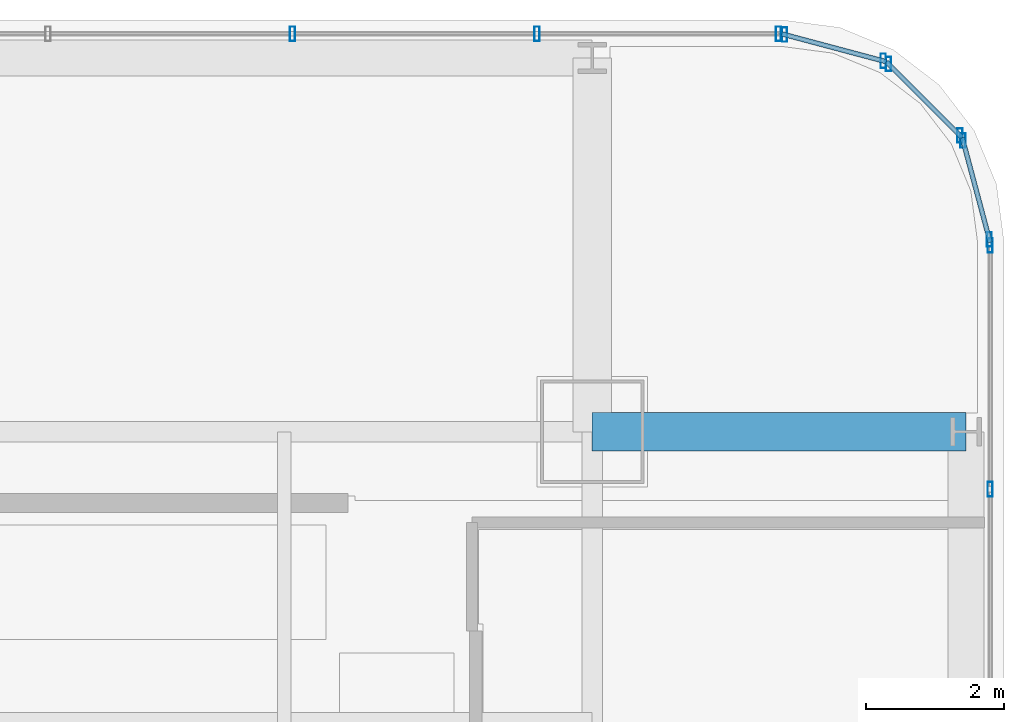
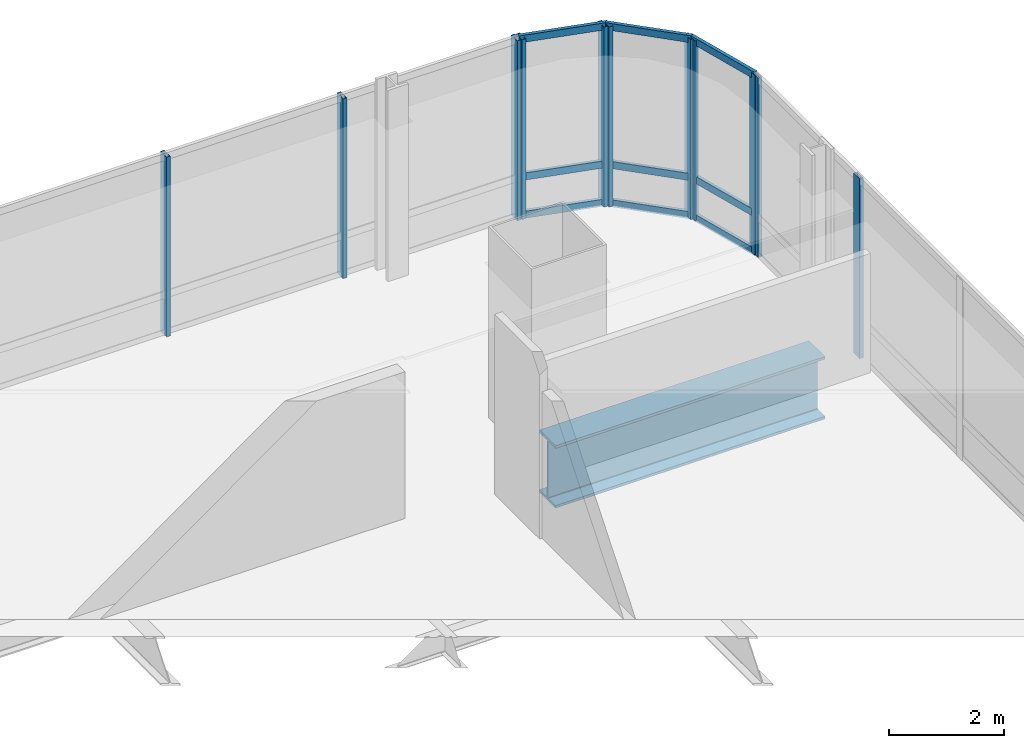
# One storey, part 24 of 34: 20 members, 1 beam, 5 elements without a shape of their own.
"""IFC4 building model written with IfcOpenShell, lengths in metres."""

from ifc_helpers import new_model, si_unit, direction, frame, origin, origin_2d, place, context, subcontext, project, spatial, hollow_rectangle, i_section, extrude, material, material_profile, profile_set, type_object, element, aggregate, save


model = new_model("IFC4")

# Units and contexts
model_context = context("Model", 3, precision=1e-05, world=origin(), true_north=direction((0.0, 1.0)))
body_context = subcontext(model_context, "Body", "Model", "MODEL_VIEW")
ifc_project = project(units=[si_unit("LENGTHUNIT", "METRE"), si_unit("AREAUNIT", "SQUARE_METRE"), si_unit("VOLUMEUNIT", "CUBIC_METRE"), si_unit("PLANEANGLEUNIT", "RADIAN"), si_unit("MASSUNIT", "GRAM", prefix="KILO")], contexts=[model_context])

# Site, building, storey
site_placement = place(None, origin())
site = spatial("IfcSite", under=ifc_project, at=site_placement, CompositionType="ELEMENT")
building_placement = place(site_placement, origin())
building = spatial("IfcBuilding", under=site, at=building_placement, Name="Punatoya Terracotta Tower", CompositionType="ELEMENT")
storey_placement = place(building_placement, frame((0.0, 0.0, 101.10009765625)))
storey = spatial("IfcBuildingStorey", under=building, at=storey_placement, Name="L23", CompositionType="ELEMENT", Elevation=101.10009765625)

# Beam
ifc_material_1 = material(Name="Steel S460", Category="steel")
ifc_material_profile_1 = material_profile(ifc_material_1, i_section(OverallWidth=0.56005859375, OverallDepth=1.320068359375, WebThickness=0.035888671875, FlangeThickness=0.054931640625, FilletRadius=0.01806640625, at=origin_2d()))
ifc_profile_set_1 = profile_set([ifc_material_profile_1], Name="Steel S460")
beam_type = type_object("IfcBeamType", Name="BM-TG-BLK", PredefinedType="BEAM", material=ifc_profile_set_1)
beam_placement = place(storey_placement, frame((19.10009765625, 17.5, -0.900146484375), z_axis=(1.0, 0.0, 0.0), x_axis=(0.0, 1.0, 0.0)))
element("IfcBeam", 1, at=beam_placement, inside=storey, type_object=beam_type, Name="BM-L23-CANT-E4", PredefinedType="BEAM", context=body_context, shape_type="SweptSolid", body=[
    extrude(i_section(OverallWidth=0.56005859375, OverallDepth=1.320068359375, WebThickness=0.035888671875, FlangeThickness=0.054931640625, FilletRadius=0.01806640625, at=origin_2d()), origin(), (0.0, 0.0, 1.0), 5.39990234375),
])

# Curtain wall, members
ifc_material_2 = material(Name="Aluminium 6063-T6 + Double Low-E Glass", Category="aluminium")
curtain_wall_type = type_object("IfcCurtainWallType", Name="CW-M1", PredefinedType="NOTDEFINED", material=ifc_material_2)
curtain_wall_1_placement = place(storey_placement, origin())
curtain_wall_1 = element("IfcCurtainWall", 2, at=curtain_wall_1_placement, inside=storey, type_object=curtain_wall_type, Name="L23 Curtain Wall CW-L23-E05-1", PredefinedType="NOTDEFINED")
ifc_material_3 = material(Name="Aluminium 6063-T6", Category="aluminium")
ifc_material_profile_2 = material_profile(ifc_material_3, hollow_rectangle(XDim=0.074951171875, YDim=0.2099609375, WallThickness=0.00439453125, at=origin_2d()))
ifc_profile_set_2 = profile_set([ifc_material_profile_2], Name="Aluminium 6063-T6")
member_type_1 = type_object("IfcMemberType", Name="CW-MUL-M1", PredefinedType="MULLION", material=ifc_profile_set_2)
member_1_placement = place(storey_placement, frame((24.85009765625, 16.66943359375, 0.0), z_axis=(0.0, 0.0, 1.0), x_axis=(1.0, 0.0, 0.0)))
member_1 = element("IfcMember", 3, at=member_1_placement, type_object=member_type_1, Name="CW-L23-E05-1 Mullion 09", PredefinedType="MULLION", context=body_context, shape_type="SweptSolid", body=[
    extrude(hollow_rectangle(XDim=0.074951171875, YDim=0.2099609375, WallThickness=0.00439453125, at=origin_2d()), origin(), (0.0, 0.0, 1.0), 3.809814453125),
])
member_2_placement = place(storey_placement, frame((24.85009765625, 20.19189453125, 0.0), z_axis=(0.0, 0.0, 1.0), x_axis=(1.0, 0.0, 0.0)))
member_2 = element("IfcMember", 4, at=member_2_placement, type_object=member_type_1, Name="CW-L23-E05-1 Mullion 10", PredefinedType="MULLION", context=body_context, shape_type="SweptSolid", body=[
    extrude(hollow_rectangle(XDim=0.074951171875, YDim=0.2099609375, WallThickness=0.00439453125, at=origin_2d()), origin(), (0.0, 0.0, 1.0), 3.809814453125),
])
aggregate(curtain_wall_1, [member_1, member_2])

curtain_wall_2_placement = place(storey_placement, origin())
curtain_wall_2 = element("IfcCurtainWall", 5, at=curtain_wall_2_placement, inside=storey, type_object=curtain_wall_type, Name="L23 Curtain Wall CW-L23-CRN06", PredefinedType="NOTDEFINED")
member_3_placement = place(storey_placement, frame((24.83837890625, 20.280517578125, 0.0), z_axis=(0.0, 0.0, 1.0), x_axis=(1.0, 0.0, 0.0)))
member_3 = element("IfcMember", 6, at=member_3_placement, type_object=member_type_1, Name="CW-L23-CRN06 Mullion 00", PredefinedType="MULLION", context=body_context, shape_type="SweptSolid", body=[
    extrude(hollow_rectangle(XDim=0.074951171875, YDim=0.2099609375, WallThickness=0.00439453125, at=origin_2d()), origin(), (0.0, 0.0, 1.0), 3.809814453125),
])
member_4_placement = place(storey_placement, frame((24.458251953125, 21.70556640625, 0.0), z_axis=(0.0, 0.0, 1.0), x_axis=(1.0, 0.0, 0.0)))
member_4 = element("IfcMember", 7, at=member_4_placement, type_object=member_type_1, Name="CW-L23-CRN06 Mullion 01", PredefinedType="MULLION", context=body_context, shape_type="SweptSolid", body=[
    extrude(hollow_rectangle(XDim=0.074951171875, YDim=0.2099609375, WallThickness=0.00439453125, at=origin_2d()), origin(), (0.0, 0.0, 1.0), 3.809814453125),
])

curtain_wall_3_placement = place(storey_placement, origin())
curtain_wall_3 = element("IfcCurtainWall", 8, at=curtain_wall_3_placement, inside=storey, type_object=curtain_wall_type, Name="L23 Curtain Wall CW-L23-CRN07", PredefinedType="NOTDEFINED")
member_5_placement = place(storey_placement, frame((24.414794921875, 21.781005859375, 0.0), z_axis=(0.0, 0.0, 1.0), x_axis=(1.0, 0.0, 0.0)))
member_5 = element("IfcMember", 9, at=member_5_placement, type_object=member_type_1, Name="CW-L23-CRN07 Mullion 00", PredefinedType="MULLION", context=body_context, shape_type="SweptSolid", body=[
    extrude(hollow_rectangle(XDim=0.074951171875, YDim=0.2099609375, WallThickness=0.00439453125, at=origin_2d()), origin(), (0.0, 0.0, 1.0), 3.809814453125),
])
member_6_placement = place(storey_placement, frame((23.380859375, 22.814697265625, 0.0), z_axis=(0.0, 0.0, 1.0), x_axis=(1.0, 0.0, 0.0)))
member_6 = element("IfcMember", 10, at=member_6_placement, type_object=member_type_1, Name="CW-L23-CRN07 Mullion 01", PredefinedType="MULLION", context=body_context, shape_type="SweptSolid", body=[
    extrude(hollow_rectangle(XDim=0.074951171875, YDim=0.2099609375, WallThickness=0.00439453125, at=origin_2d()), origin(), (0.0, 0.0, 1.0), 3.809814453125),
])

curtain_wall_4_placement = place(storey_placement, origin())
curtain_wall_4 = element("IfcCurtainWall", 11, at=curtain_wall_4_placement, inside=storey, type_object=curtain_wall_type, Name="L23 Curtain Wall CW-L23-CRN08", PredefinedType="NOTDEFINED")
member_7_placement = place(storey_placement, frame((23.3056640625, 22.858154296875, 0.0), z_axis=(0.0, 0.0, 1.0), x_axis=(1.0, 0.0, 0.0)))
member_7 = element("IfcMember", 12, at=member_7_placement, type_object=member_type_1, Name="CW-L23-CRN08 Mullion 00", PredefinedType="MULLION", context=body_context, shape_type="SweptSolid", body=[
    extrude(hollow_rectangle(XDim=0.074951171875, YDim=0.2099609375, WallThickness=0.00439453125, at=origin_2d()), origin(), (0.0, 0.0, 1.0), 3.809814453125),
])
member_8_placement = place(storey_placement, frame((21.88037109375, 23.23828125, 0.0), z_axis=(0.0, 0.0, 1.0), x_axis=(1.0, 0.0, 0.0)))
member_8 = element("IfcMember", 13, at=member_8_placement, type_object=member_type_1, Name="CW-L23-CRN08 Mullion 01", PredefinedType="MULLION", context=body_context, shape_type="SweptSolid", body=[
    extrude(hollow_rectangle(XDim=0.074951171875, YDim=0.2099609375, WallThickness=0.00439453125, at=origin_2d()), origin(), (0.0, 0.0, 1.0), 3.809814453125),
])

curtain_wall_5_placement = place(storey_placement, origin())
curtain_wall_5 = element("IfcCurtainWall", 14, at=curtain_wall_5_placement, inside=storey, type_object=curtain_wall_type, Name="L23 Curtain Wall CW-L23-N09-1", PredefinedType="NOTDEFINED")
member_9_placement = place(storey_placement, frame((21.7919921875, 23.25, 0.0), z_axis=(0.0, 0.0, 1.0), x_axis=(1.0, 0.0, 0.0)))
member_9 = element("IfcMember", 15, at=member_9_placement, type_object=member_type_1, Name="CW-L23-N09-1 Mullion 00", PredefinedType="MULLION", context=body_context, shape_type="SweptSolid", body=[
    extrude(hollow_rectangle(XDim=0.074951171875, YDim=0.2099609375, WallThickness=0.00439453125, at=origin_2d()), origin(), (0.0, 0.0, 1.0), 3.809814453125),
])
member_10_placement = place(storey_placement, frame((18.302978515625, 23.25, 0.0), z_axis=(0.0, 0.0, 1.0), x_axis=(1.0, 0.0, 0.0)))
member_10 = element("IfcMember", 16, at=member_10_placement, type_object=member_type_1, Name="CW-L23-N09-1 Mullion 01", PredefinedType="MULLION", context=body_context, shape_type="SweptSolid", body=[
    extrude(hollow_rectangle(XDim=0.074951171875, YDim=0.2099609375, WallThickness=0.00439453125, at=origin_2d()), origin(), (0.0, 0.0, 1.0), 3.809814453125),
])
member_11_placement = place(storey_placement, frame((14.768798828125, 23.25, 0.0), z_axis=(0.0, 0.0, 1.0), x_axis=(1.0, 0.0, 0.0)))
member_11 = element("IfcMember", 17, at=member_11_placement, type_object=member_type_1, Name="CW-L23-N09-1 Mullion 02", PredefinedType="MULLION", context=body_context, shape_type="SweptSolid", body=[
    extrude(hollow_rectangle(XDim=0.074951171875, YDim=0.2099609375, WallThickness=0.00439453125, at=origin_2d()), origin(), (0.0, 0.0, 1.0), 3.809814453125),
])
aggregate(curtain_wall_5, [member_9, member_10, member_11])

# Member
ifc_material_profile_3 = material_profile(ifc_material_3, hollow_rectangle(XDim=0.068115234375, YDim=0.14990234375, WallThickness=0.00390625, at=origin_2d()))
ifc_profile_set_3 = profile_set([ifc_material_profile_3], Name="Aluminium 6063-T6")
member_type_2 = type_object("IfcMemberType", Name="CW-TRN-TYP", PredefinedType="USERDEFINED", material=ifc_profile_set_3)
member_12_placement = place(storey_placement, frame((24.85009765625, 20.23681640625, 0.039794921875), z_axis=(-0.257847112249, 0.966185730957, 0.0), x_axis=(-0.966185730957, -0.257847112249, 0.0)))
member_12 = element("IfcMember", 18, at=member_12_placement, type_object=member_type_2, Name="CW-L23-CRN06 Transom 1", ObjectType="TRANSOM", PredefinedType="USERDEFINED", context=body_context, shape_type="SweptSolid", body=[
    extrude(hollow_rectangle(XDim=0.068115234375, YDim=0.14990234375, WallThickness=0.00390625, at=origin_2d()), origin(), (0.0, 0.0, 1.0), 1.565185546875),
])

member_13_placement = place(storey_placement, frame((24.85009765625, 20.23681640625, 0.849853515625), z_axis=(-0.257847112249, 0.966185730957, 0.0), x_axis=(-0.966185730957, -0.257847112249, 0.0)))
member_13 = element("IfcMember", 19, at=member_13_placement, type_object=member_type_2, Name="CW-L23-CRN06 Transom 2", ObjectType="TRANSOM", PredefinedType="USERDEFINED", context=body_context, shape_type="SweptSolid", body=[
    extrude(hollow_rectangle(XDim=0.068115234375, YDim=0.14990234375, WallThickness=0.00390625, at=origin_2d()), origin(), (0.0, 0.0, 1.0), 1.565185546875),
])

member_14_placement = place(storey_placement, frame((24.85009765625, 20.23681640625, 3.77001953125), z_axis=(-0.257847112249, 0.966185730957, 0.0), x_axis=(-0.966185730957, -0.257847112249, 0.0)))
member_14 = element("IfcMember", 20, at=member_14_placement, type_object=member_type_2, Name="CW-L23-CRN06 Transom 3", ObjectType="TRANSOM", PredefinedType="USERDEFINED", context=body_context, shape_type="SweptSolid", body=[
    extrude(hollow_rectangle(XDim=0.068115234375, YDim=0.14990234375, WallThickness=0.00390625, at=origin_2d()), origin(), (0.0, 0.0, 1.0), 1.565185546875),
])

aggregate(curtain_wall_2, [member_3, member_4, member_12, member_13, member_14])

member_15_placement = place(storey_placement, frame((24.446533203125, 21.7490234375, 0.039794921875), z_axis=(-0.707028130747, 0.707185422879, 0.0), x_axis=(-0.707185422879, -0.707028130747, 0.0)))
member_15 = element("IfcMember", 21, at=member_15_placement, type_object=member_type_2, Name="CW-L23-CRN07 Transom 1", ObjectType="TRANSOM", PredefinedType="USERDEFINED", context=body_context, shape_type="SweptSolid", body=[
    extrude(hollow_rectangle(XDim=0.068115234375, YDim=0.14990234375, WallThickness=0.00390625, at=origin_2d()), origin(), (0.0, 0.0, 1.0), 1.55224609375),
])

member_16_placement = place(storey_placement, frame((24.446533203125, 21.7490234375, 0.849853515625), z_axis=(-0.707028130747, 0.707185422879, 0.0), x_axis=(-0.707185422879, -0.707028130747, 0.0)))
member_16 = element("IfcMember", 22, at=member_16_placement, type_object=member_type_2, Name="CW-L23-CRN07 Transom 2", ObjectType="TRANSOM", PredefinedType="USERDEFINED", context=body_context, shape_type="SweptSolid", body=[
    extrude(hollow_rectangle(XDim=0.068115234375, YDim=0.14990234375, WallThickness=0.00390625, at=origin_2d()), origin(), (0.0, 0.0, 1.0), 1.55224609375),
])

member_17_placement = place(storey_placement, frame((24.446533203125, 21.7490234375, 3.77001953125), z_axis=(-0.707028130747, 0.707185422879, 0.0), x_axis=(-0.707185422879, -0.707028130747, 0.0)))
member_17 = element("IfcMember", 23, at=member_17_placement, type_object=member_type_2, Name="CW-L23-CRN07 Transom 3", ObjectType="TRANSOM", PredefinedType="USERDEFINED", context=body_context, shape_type="SweptSolid", body=[
    extrude(hollow_rectangle(XDim=0.068115234375, YDim=0.14990234375, WallThickness=0.00390625, at=origin_2d()), origin(), (0.0, 0.0, 1.0), 1.55224609375),
])

aggregate(curtain_wall_3, [member_5, member_6, member_15, member_16, member_17])

member_18_placement = place(storey_placement, frame((23.34912109375, 22.8466796875, 0.039794921875), z_axis=(-0.966224582397, 0.257701486942, 0.0), x_axis=(-0.257701486942, -0.966224582397, 0.0)))
member_18 = element("IfcMember", 24, at=member_18_placement, type_object=member_type_2, Name="CW-L23-CRN08 Transom 1", ObjectType="TRANSOM", PredefinedType="USERDEFINED", context=body_context, shape_type="SweptSolid", body=[
    extrude(hollow_rectangle(XDim=0.068115234375, YDim=0.14990234375, WallThickness=0.00390625, at=origin_2d()), origin(), (0.0, 0.0, 1.0), 1.565185546875),
])

member_19_placement = place(storey_placement, frame((23.34912109375, 22.8466796875, 0.849853515625), z_axis=(-0.966224582397, 0.257701486942, 0.0), x_axis=(-0.257701486942, -0.966224582397, 0.0)))
member_19 = element("IfcMember", 25, at=member_19_placement, type_object=member_type_2, Name="CW-L23-CRN08 Transom 2", ObjectType="TRANSOM", PredefinedType="USERDEFINED", context=body_context, shape_type="SweptSolid", body=[
    extrude(hollow_rectangle(XDim=0.068115234375, YDim=0.14990234375, WallThickness=0.00390625, at=origin_2d()), origin(), (0.0, 0.0, 1.0), 1.565185546875),
])

member_20_placement = place(storey_placement, frame((23.34912109375, 22.8466796875, 3.77001953125), z_axis=(-0.966224582397, 0.257701486942, 0.0), x_axis=(-0.257701486942, -0.966224582397, 0.0)))
member_20 = element("IfcMember", 26, at=member_20_placement, type_object=member_type_2, Name="CW-L23-CRN08 Transom 3", ObjectType="TRANSOM", PredefinedType="USERDEFINED", context=body_context, shape_type="SweptSolid", body=[
    extrude(hollow_rectangle(XDim=0.068115234375, YDim=0.14990234375, WallThickness=0.00390625, at=origin_2d()), origin(), (0.0, 0.0, 1.0), 1.565185546875),
])

aggregate(curtain_wall_4, [member_7, member_8, member_18, member_19, member_20])

save(model, "model.ifc")
